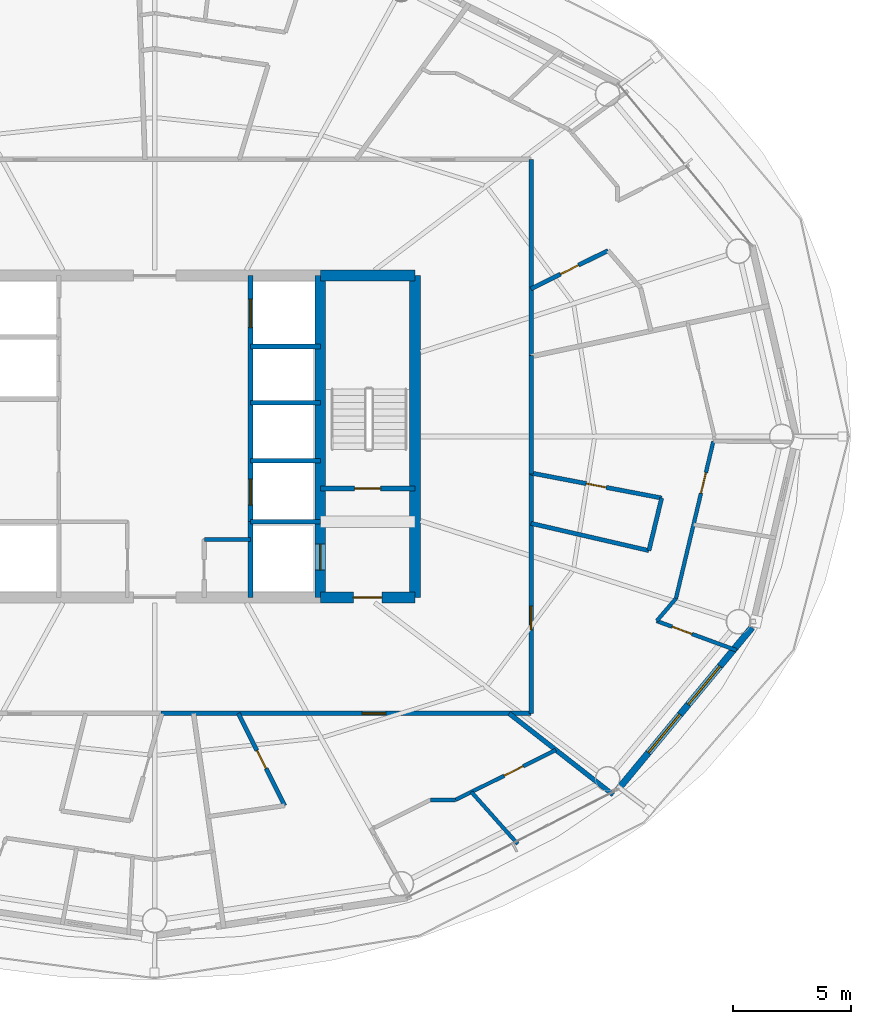
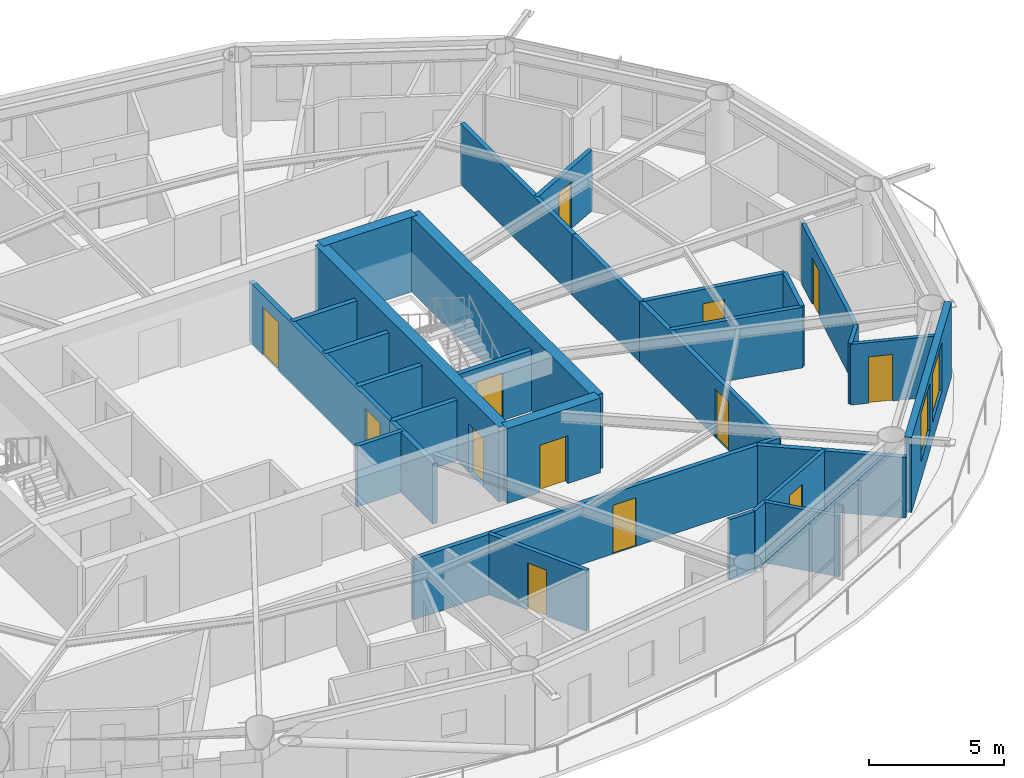
# One storey, part 22 of 29: 29 walls, 13 doors, 2 windows, 15 openings.
"""IFC4 building model written with IfcOpenShell, lengths in metres."""

from ifc_helpers import new_model, si_unit, direction, frame, frame_2d, origin, place, context, subcontext, project, spatial, rectangle, extrude, material, layer, layer_set, type_object, element, fill, save


model = new_model("IFC4")

# Units and contexts
model_context = context("Model", 3, precision=1e-05, world=origin(), true_north=direction((0.0, 1.0)))
body_context = subcontext(model_context, "Body", "Model", "MODEL_VIEW")
ifc_project = project(units=[si_unit("LENGTHUNIT", "METRE"), si_unit("AREAUNIT", "SQUARE_METRE"), si_unit("VOLUMEUNIT", "CUBIC_METRE"), si_unit("PLANEANGLEUNIT", "RADIAN"), si_unit("MASSUNIT", "GRAM", prefix="KILO")], contexts=[model_context])

# Site, building, storey
site_placement = place(None, origin())
site = spatial("IfcSite", under=ifc_project, at=site_placement, CompositionType="ELEMENT")
building_placement = place(site_placement, origin())
building = spatial("IfcBuilding", under=site, at=building_placement, Name="Sarneth Arch Tower", CompositionType="ELEMENT")
storey_placement = place(building_placement, frame((0.0, 0.0, 165.0)))
storey = spatial("IfcBuildingStorey", under=building, at=storey_placement, Name="L41", CompositionType="ELEMENT", Elevation=165.0)

# Wall, opening, door
ifc_material_1 = material(Name="Concrete C50/60", Category="concrete")
ifc_layer_1 = layer(ifc_material_1, 0.449951171875)
ifc_layer_set_1 = layer_set([ifc_layer_1], Name="Concrete C50/60")
wall_type_1 = type_object("IfcWallType", Name="WALL-CORE-450", PredefinedType="SHEAR", material=ifc_layer_set_1)
wall_1_placement = place(storey_placement, frame((55.0, 35.199951171875, 0.0), z_axis=(0.0, 0.0, 1.0), x_axis=(1.0, 0.0, 0.0)))
wall_1 = element("IfcWall", 1, at=wall_1_placement, inside=storey, type_object=wall_type_1, Name="L41 Core shear wall S-E", PredefinedType="SHEAR", context=body_context, shape_type="SweptSolid", body=[
    extrude(rectangle(XDim=4.0, YDim=0.449951171875, at=frame_2d((2.0, 0.0))), origin(), (0.0, 0.0, 1.0), 3.3798828125),
])
opening_1_placement = place(wall_1_placement, frame((1.39990234375, 0.0, 0.0)))
opening_1 = element("IfcOpeningElement", 2, at=opening_1_placement, cuts=wall_1, Name="Opening FD-02", PredefinedType="OPENING", context=body_context, shape_type="SweptSolid", body=[
    extrude(rectangle(XDim=1.199951171875, YDim=2.14990234375, at=frame_2d((0.60009765625, 1.074951171875))), frame((0.0, 0.23486328125, 0.0), z_axis=(0.0, -1.0, 0.0), x_axis=(1.0, 0.0, 0.0)), (0.0, 0.0, 1.0), 0.469970703125),
])
ifc_material_2 = material(Name="Galvanised Steel S275 fire door set", Category="steel")
door_type_1 = type_object("IfcDoorType", Name="DR-FD90-1200", OperationType="SINGLE_SWING_LEFT", PredefinedType="DOOR", material=ifc_material_2)
door_1_placement = place(opening_1_placement, origin())
door_1 = element("IfcDoor", 3, at=door_1_placement, inside=storey, type_object=door_type_1, Name="L41 Firefighting lobby 2 exit door", OperationType="SINGLE_SWING_RIGHT", OverallHeight=2.14990234375, OverallWidth=1.199951171875, PredefinedType="DOOR", context=body_context, shape_type="SweptSolid", body=[
    extrude(rectangle(XDim=1.199951171875, YDim=2.14990234375, at=frame_2d((0.60009765625, 1.074951171875))), frame((0.0, 0.02490234375, 0.0), z_axis=(0.0, -1.0, 0.0), x_axis=(1.0, 0.0, 0.0)), (0.0, 0.0, 1.0), 0.050048828125),
])
fill(opening_1, door_1)

# Walls
wall_2_placement = place(storey_placement, frame((55.0, 48.800048828125, 0.0), z_axis=(0.0, 0.0, 1.0), x_axis=(1.0, 0.0, 0.0)))
element("IfcWall", 4, at=wall_2_placement, inside=storey, type_object=wall_type_1, Name="L41 Core shear wall N-E", PredefinedType="SHEAR", context=body_context, shape_type="SweptSolid", body=[
    extrude(rectangle(XDim=4.0, YDim=0.449951171875, at=frame_2d((2.0, 0.0))), origin(), (0.0, 0.0, 1.0), 3.3798828125),
])
wall_3_placement = place(storey_placement, frame((59.0, 35.199951171875, 0.0), z_axis=(0.0, 0.0, 1.0), x_axis=(0.0, 1.0, 0.0)))
element("IfcWall", 5, at=wall_3_placement, inside=storey, type_object=wall_type_1, Name="L41 Core shear wall E", PredefinedType="SHEAR", context=body_context, shape_type="SweptSolid", body=[
    extrude(rectangle(XDim=13.60009765625, YDim=0.449951171875, at=frame_2d((6.800048828125, 0.0))), origin(), (0.0, 0.0, 1.0), 3.3798828125),
])

# Wall, opening, door
wall_4_placement = place(storey_placement, frame((55.0, 35.199951171875, 0.0), z_axis=(0.0, 0.0, 1.0), x_axis=(0.0, 1.0, 0.0)))
wall_4 = element("IfcWall", 6, at=wall_4_placement, inside=storey, type_object=wall_type_1, Name="L41 Core shear wall WEB-E", PredefinedType="SHEAR", context=body_context, shape_type="SweptSolid", body=[
    extrude(rectangle(XDim=13.60009765625, YDim=0.449951171875, at=frame_2d((6.800048828125, 0.0))), origin(), (0.0, 0.0, 1.0), 3.3798828125),
])
opening_2_placement = place(wall_4_placement, frame((1.14990234375, 0.0, 0.0)))
opening_2 = element("IfcOpeningElement", 7, at=opening_2_placement, cuts=wall_4, Name="Opening LD-1", PredefinedType="OPENING", context=body_context, shape_type="SweptSolid", body=[
    extrude(rectangle(XDim=1.10009765625, YDim=2.199951171875, at=frame_2d((0.550048828125, 1.10009765625))), frame((0.0, 0.23486328125, 0.0), z_axis=(0.0, -1.0, 0.0), x_axis=(1.0, 0.0, 0.0)), (0.0, 0.0, 1.0), 0.469970703125),
])
ifc_material_3 = material(Name="Brushed Stainless Steel 304 lift landing door", Category="steel")
door_type_2 = type_object("IfcDoorType", Name="DR-LIFT-SLIDE-1100", OperationType="SLIDING_TO_LEFT", PredefinedType="DOOR", material=ifc_material_3)
door_2_placement = place(opening_2_placement, origin())
door_2 = element("IfcDoor", 8, at=door_2_placement, inside=storey, type_object=door_type_2, Name="L41 Firefighting lift landing door FL-2", OperationType="SLIDING_TO_RIGHT", OverallHeight=2.199951171875, OverallWidth=1.10009765625, PredefinedType="DOOR", context=body_context, shape_type="SweptSolid", body=[
    extrude(rectangle(XDim=1.10009765625, YDim=2.199951171875, at=frame_2d((0.550048828125, 1.10009765625))), frame((0.0, 0.02490234375, 0.0), z_axis=(0.0, -1.0, 0.0), x_axis=(1.0, 0.0, 0.0)), (0.0, 0.0, 1.0), 0.050048828125),
])
fill(opening_2, door_2)

ifc_material_4 = material(Name="Double steel-stud corridor fire wall", Category="steel")
ifc_layer_2 = layer(ifc_material_4, 0.18994140625)
ifc_layer_set_2 = layer_set([ifc_layer_2], Name="Double steel-stud corridor fire wall")
wall_type_2 = type_object("IfcWallType", Name="WALL-CORR-190", PredefinedType="PARTITIONING", material=ifc_layer_set_2)
wall_5_placement = place(storey_placement, frame((63.89990234375, 30.300048828125, 0.0), z_axis=(0.0, 0.0, 1.0), x_axis=(-1.0, 0.0, 0.0)))
wall_5 = element("IfcWall", 9, at=wall_5_placement, inside=storey, type_object=wall_type_2, Name="L41 Interior partition W-L41-TP-017", PredefinedType="PARTITIONING", context=body_context, shape_type="SweptSolid", body=[
    extrude(rectangle(XDim=15.62548828125, YDim=0.18994140625, at=frame_2d((7.812744140625, 0.0))), origin(), (0.0, 0.0, 1.0), 2.739990234375),
])
opening_3_placement = place(wall_5_placement, frame((6.13720703125, 0.0, 0.0)))
opening_3 = element("IfcOpeningElement", 10, at=opening_3_placement, cuts=wall_5, Name="Opening FD-08", PredefinedType="OPENING", context=body_context, shape_type="SweptSolid", body=[
    extrude(rectangle(XDim=1.0, YDim=2.199951171875, at=frame_2d((0.5, 1.10009765625))), frame((0.0, 0.10498046875, 0.0), z_axis=(0.0, -1.0, 0.0), x_axis=(1.0, 0.0, 0.0)), (0.0, 0.0, 1.0), 0.2099609375),
])
ifc_material_5 = material(Name="Hardwood timber acoustic fire door", Category="wood")
door_type_3 = type_object("IfcDoorType", Name="DR-FD60-1000", OperationType="SINGLE_SWING_LEFT", PredefinedType="DOOR", material=ifc_material_5)
door_3_placement = place(opening_3_placement, origin())
door_3 = element("IfcDoor", 11, at=door_3_placement, inside=storey, type_object=door_type_3, Name="L41 Interior door DR-L41-U7-ENT", OperationType="SINGLE_SWING_LEFT", OverallHeight=2.199951171875, OverallWidth=1.0, PredefinedType="DOOR", context=body_context, shape_type="SweptSolid", body=[
    extrude(rectangle(XDim=1.0, YDim=2.199951171875, at=frame_2d((0.5, 1.10009765625))), frame((0.0, 0.02490234375, 0.0), z_axis=(0.0, -1.0, 0.0), x_axis=(1.0, 0.0, 0.0)), (0.0, 0.0, 1.0), 0.050048828125),
])
fill(opening_3, door_3)

wall_6_placement = place(storey_placement, frame((63.89990234375, 40.490478515625, 0.0), z_axis=(0.0, 0.0, 1.0), x_axis=(0.0, -1.0, 0.0)))
wall_6 = element("IfcWall", 12, at=wall_6_placement, inside=storey, type_object=wall_type_2, Name="L41 Interior partition W-L41-TP-019", PredefinedType="PARTITIONING", context=body_context, shape_type="SweptSolid", body=[
    extrude(rectangle(XDim=10.1904296875, YDim=0.18994140625, at=frame_2d((5.09521484375, 0.0))), origin(), (0.0, 0.0, 1.0), 2.739990234375),
])
opening_4_placement = place(wall_6_placement, frame((5.659423828125, 0.0, 0.0)))
opening_4 = element("IfcOpeningElement", 13, at=opening_4_placement, cuts=wall_6, Name="Opening FD-08", PredefinedType="OPENING", context=body_context, shape_type="SweptSolid", body=[
    extrude(rectangle(XDim=1.0, YDim=2.199951171875, at=frame_2d((0.5, 1.10009765625))), frame((0.0, 0.10498046875, 0.0), z_axis=(0.0, -1.0, 0.0), x_axis=(1.0, 0.0, 0.0)), (0.0, 0.0, 1.0), 0.2099609375),
])
door_4_placement = place(opening_4_placement, origin())
door_4 = element("IfcDoor", 14, at=door_4_placement, inside=storey, type_object=door_type_3, Name="L41 Interior door DR-L41-U8-ENT", OperationType="SINGLE_SWING_LEFT", OverallHeight=2.199951171875, OverallWidth=1.0, PredefinedType="DOOR", context=body_context, shape_type="SweptSolid", body=[
    extrude(rectangle(XDim=1.0, YDim=2.199951171875, at=frame_2d((0.5, 1.10009765625))), frame((0.0, 0.02490234375, 0.0), z_axis=(0.0, -1.0, 0.0), x_axis=(1.0, 0.0, 0.0)), (0.0, 0.0, 1.0), 0.050048828125),
])
fill(opening_4, door_4)

# Walls
wall_7_placement = place(storey_placement, frame((63.89990234375, 53.699951171875, 0.0), z_axis=(0.0, 0.0, 1.0), x_axis=(0.0, -1.0, 0.0)))
element("IfcWall", 15, at=wall_7_placement, inside=storey, type_object=wall_type_2, Name="L41 Interior partition W-L41-TP-002", PredefinedType="PARTITIONING", context=body_context, shape_type="SweptSolid", body=[
    extrude(rectangle(XDim=8.3203125, YDim=0.18994140625, at=frame_2d((4.16015625, 0.0))), origin(), (0.0, 0.0, 1.0), 2.739990234375),
])
wall_8_placement = place(storey_placement, frame((63.89990234375, 45.412353515625, 0.0), z_axis=(0.0, 0.0, 1.0), x_axis=(0.0, -1.0, 0.0)))
element("IfcWall", 16, at=wall_8_placement, inside=storey, type_object=wall_type_2, Name="L41 Interior partition W-L41-TP-021", PredefinedType="PARTITIONING", context=body_context, shape_type="SweptSolid", body=[
    extrude(rectangle(XDim=4.987060546875, YDim=0.18994140625, at=frame_2d((2.49365234375, 0.0))), origin(), (0.0, 0.0, 1.0), 2.739990234375),
])

# Wall, openings, windows
ifc_material_6 = material(Name="Extruded terracotta rainscreen on Concrete C40/50 backing", Category="masonry")
ifc_layer_3 = layer(ifc_material_6, 0.280029296875)
ifc_layer_set_3 = layer_set([ifc_layer_3], Name="Extruded terracotta rainscreen on Concrete C40/50 backing")
wall_type_3 = type_object("IfcWallType", Name="WALL-EXT-TERRA-280", PredefinedType="SOLIDWALL", material=ifc_layer_set_3)
wall_9_placement = place(storey_placement, frame((67.576171875, 27.09423828125, 0.0), z_axis=(0.0, 0.0, 1.0), x_axis=(0.637333477683, 0.770588111915, 0.0)))
wall_9 = element("IfcWall", 17, at=wall_9_placement, inside=storey, type_object=wall_type_3, Name="L41 Terracotta perimeter wall 15", PredefinedType="SOLIDWALL", context=body_context, shape_type="SweptSolid", body=[
    extrude(rectangle(XDim=8.874755859375, YDim=0.280029296875, at=frame_2d((4.4375, 0.0))), origin(), (0.0, 0.0, 1.0), 3.3798828125),
])
opening_5_placement = place(wall_9_placement, frame((2.006591796875, 0.0, 0.85009765625)))
opening_5 = element("IfcOpeningElement", 18, at=opening_5_placement, cuts=wall_9, Name="Opening W-03", PredefinedType="OPENING", context=body_context, shape_type="SweptSolid", body=[
    extrude(rectangle(XDim=2.10009765625, YDim=2.199951171875, at=frame_2d((1.050048828125, 1.10009765625))), frame((0.0, 0.14990234375, 0.0), z_axis=(0.0, -1.0, 0.0), x_axis=(1.0, 0.0, 0.0)), (0.0, 0.0, 1.0), 0.300048828125),
])
opening_6_placement = place(wall_9_placement, frame((4.65185546875, 0.0, 0.85009765625)))
opening_6 = element("IfcOpeningElement", 19, at=opening_6_placement, cuts=wall_9, Name="Opening W-03", PredefinedType="OPENING", context=body_context, shape_type="SweptSolid", body=[
    extrude(rectangle(XDim=2.10009765625, YDim=2.199951171875, at=frame_2d((1.050048828125, 1.10009765625))), frame((0.0, 0.14990234375, 0.0), z_axis=(0.0, -1.0, 0.0), x_axis=(1.0, 0.0, 0.0)), (0.0, 0.0, 1.0), 0.300048828125),
])
ifc_material_7 = material(Name="Thermally broken Aluminium 6063-T6 and low-e laminated IGU", Category="aluminium")
window_type = type_object("IfcWindowType", Name="WIN-TWR-2100x2200", PartitioningType="DOUBLE_PANEL_VERTICAL", PredefinedType="WINDOW", material=ifc_material_7)
window_1_placement = place(opening_5_placement, origin())
window_1 = element("IfcWindow", 20, at=window_1_placement, inside=storey, type_object=window_type, Name="L41 Exterior window 15A", OverallHeight=2.199951171875, OverallWidth=2.10009765625, PartitioningType="SINGLE_PANEL", PredefinedType="WINDOW", context=body_context, shape_type="SweptSolid", body=[
    extrude(rectangle(XDim=2.10009765625, YDim=2.199951171875, at=frame_2d((1.050048828125, 1.10009765625))), frame((0.0, 0.030029296875, 0.0), z_axis=(0.0, -1.0, 0.0), x_axis=(1.0, 0.0, 0.0)), (0.0, 0.0, 1.0), 0.06005859375),
])
fill(opening_5, window_1)
window_2_placement = place(opening_6_placement, origin())
window_2 = element("IfcWindow", 21, at=window_2_placement, inside=storey, type_object=window_type, Name="L41 Exterior window 15B", OverallHeight=2.199951171875, OverallWidth=2.10009765625, PartitioningType="SINGLE_PANEL", PredefinedType="WINDOW", context=body_context, shape_type="SweptSolid", body=[
    extrude(rectangle(XDim=2.10009765625, YDim=2.199951171875, at=frame_2d((1.050048828125, 1.10009765625))), frame((0.0, 0.030029296875, 0.0), z_axis=(0.0, -1.0, 0.0), x_axis=(1.0, 0.0, 0.0)), (0.0, 0.0, 1.0), 0.06005859375),
])
fill(opening_6, window_2)

# Wall, opening, door
ifc_material_8 = material(Name="Kitchen wet service chase wall", Category="gypsum")
ifc_layer_4 = layer(ifc_material_8, 0.159912109375)
ifc_layer_set_4 = layer_set([ifc_layer_4], Name="Kitchen wet service chase wall")
wall_type_4 = type_object("IfcWallType", Name="WALL-PLUMB-160", PredefinedType="PLUMBINGWALL", material=ifc_layer_set_4)
wall_10_placement = place(storey_placement, frame((60.71337890625, 26.64990234375, 0.0), z_axis=(0.0, 0.0, 1.0), x_axis=(0.894932492822, 0.446201561283, 0.0)))
wall_10 = element("IfcWall", 22, at=wall_10_placement, inside=storey, type_object=wall_type_4, Name="L41 Interior partition W-L41-TP-105", PredefinedType="PLUMBINGWALL", context=body_context, shape_type="SweptSolid", body=[
    extrude(rectangle(XDim=4.7294921875, YDim=0.159912109375, at=frame_2d((2.36474609375, 0.0))), origin(), (0.0, 0.0, 1.0), 2.739990234375),
])
opening_7_placement = place(wall_10_placement, frame((2.287841796875, 0.0, 0.0)))
opening_7 = element("IfcOpeningElement", 23, at=opening_7_placement, cuts=wall_10, Name="Opening ID-01", PredefinedType="OPENING", context=body_context, shape_type="SweptSolid", body=[
    extrude(rectangle(XDim=0.89990234375, YDim=2.10009765625, at=frame_2d((0.449951171875, 1.050048828125))), frame((0.0, 0.08984375, 0.0), z_axis=(0.0, -1.0, 0.0), x_axis=(1.0, 0.0, 0.0)), (0.0, 0.0, 1.0), 0.179931640625),
])
ifc_material_9 = material(Name="Engineered hardwood flush door", Category="wood")
door_type_4 = type_object("IfcDoorType", Name="DR-INT-900", OperationType="SINGLE_SWING_LEFT", PredefinedType="DOOR", material=ifc_material_9)
door_5_placement = place(opening_7_placement, origin())
door_5 = element("IfcDoor", 24, at=door_5_placement, inside=storey, type_object=door_type_4, Name="L41 Interior door DR-L41-U7-BED1", OperationType="SINGLE_SWING_LEFT", OverallHeight=2.10009765625, OverallWidth=0.89990234375, PredefinedType="DOOR", context=body_context, shape_type="SweptSolid", body=[
    extrude(rectangle(XDim=0.89990234375, YDim=2.10009765625, at=frame_2d((0.449951171875, 1.050048828125))), frame((0.0, 0.02490234375, 0.0), z_axis=(0.0, -1.0, 0.0), x_axis=(1.0, 0.0, 0.0)), (0.0, 0.0, 1.0), 0.050048828125),
])
fill(opening_7, door_5)

wall_11_placement = place(storey_placement, frame((70.019287109375, 35.15771484375, 0.0), z_axis=(0.0, 0.0, 1.0), x_axis=(0.231657621012, 0.972797382103, 0.0)))
wall_11 = element("IfcWall", 25, at=wall_11_placement, inside=storey, type_object=wall_type_4, Name="L41 Interior partition W-L41-TP-115", PredefinedType="PLUMBINGWALL", context=body_context, shape_type="SweptSolid", body=[
    extrude(rectangle(XDim=6.82177734375, YDim=0.159912109375, at=frame_2d((3.410888671875, 0.0))), origin(), (0.0, 0.0, 1.0), 2.739990234375),
])
opening_8_placement = place(wall_11_placement, frame((4.566650390625, 0.0, 0.0)))
opening_8 = element("IfcOpeningElement", 26, at=opening_8_placement, cuts=wall_11, Name="Opening ID-01", PredefinedType="OPENING", context=body_context, shape_type="SweptSolid", body=[
    extrude(rectangle(XDim=0.89990234375, YDim=2.10009765625, at=frame_2d((0.449951171875, 1.050048828125))), frame((0.0, 0.08984375, 0.0), z_axis=(0.0, -1.0, 0.0), x_axis=(1.0, 0.0, 0.0)), (0.0, 0.0, 1.0), 0.179931640625),
])
door_6_placement = place(opening_8_placement, origin())
door_6 = element("IfcDoor", 27, at=door_6_placement, inside=storey, type_object=door_type_4, Name="L41 Interior door DR-L41-U8-BED1", OperationType="SINGLE_SWING_LEFT", OverallHeight=2.10009765625, OverallWidth=0.89990234375, PredefinedType="DOOR", context=body_context, shape_type="SweptSolid", body=[
    extrude(rectangle(XDim=0.89990234375, YDim=2.10009765625, at=frame_2d((0.449951171875, 1.050048828125))), frame((0.0, 0.02490234375, 0.0), z_axis=(0.0, -1.0, 0.0), x_axis=(1.0, 0.0, 0.0)), (0.0, 0.0, 1.0), 0.050048828125),
])
fill(opening_8, door_6)

wall_12_placement = place(storey_placement, frame((69.20849609375, 34.204833984375, 0.0), z_axis=(0.0, 0.0, 1.0), x_axis=(0.938602834346, -0.344999593272, 0.0)))
wall_12 = element("IfcWall", 28, at=wall_12_placement, inside=storey, type_object=wall_type_4, Name="L41 Interior partition W-L41-TP-111", PredefinedType="PLUMBINGWALL", context=body_context, shape_type="SweptSolid", body=[
    extrude(rectangle(XDim=3.59130859375, YDim=0.159912109375, at=frame_2d((1.795654296875, 0.0))), origin(), (0.0, 0.0, 1.0), 2.739990234375),
])
opening_9_placement = place(wall_12_placement, frame((0.685546875, 0.0, 0.0)))
opening_9 = element("IfcOpeningElement", 29, at=opening_9_placement, cuts=wall_12, Name="Opening ID-01", PredefinedType="OPENING", context=body_context, shape_type="SweptSolid", body=[
    extrude(rectangle(XDim=0.89990234375, YDim=2.10009765625, at=frame_2d((0.449951171875, 1.050048828125))), frame((0.0, 0.08984375, 0.0), z_axis=(0.0, -1.0, 0.0), x_axis=(1.0, 0.0, 0.0)), (0.0, 0.0, 1.0), 0.179931640625),
])
door_7_placement = place(opening_9_placement, origin())
door_7 = element("IfcDoor", 30, at=door_7_placement, inside=storey, type_object=door_type_4, Name="L41 Interior door DR-L41-U8-KIT", OperationType="SINGLE_SWING_LEFT", OverallHeight=2.10009765625, OverallWidth=0.89990234375, PredefinedType="DOOR", context=body_context, shape_type="SweptSolid", body=[
    extrude(rectangle(XDim=0.89990234375, YDim=2.10009765625, at=frame_2d((0.449951171875, 1.050048828125))), frame((0.0, 0.02490234375, 0.0), z_axis=(0.0, -1.0, 0.0), x_axis=(1.0, 0.0, 0.0)), (0.0, 0.0, 1.0), 0.050048828125),
])
fill(opening_9, door_7)

# Walls
wall_13_placement = place(storey_placement, frame((63.335205078125, 24.78955078125, 0.0), z_axis=(0.0, 0.0, 1.0), x_axis=(-0.665255741341, 0.746615562799, 0.0)))
element("IfcWall", 31, at=wall_13_placement, inside=storey, type_object=wall_type_4, Name="L41 Interior partition W-L41-TP-107", PredefinedType="PLUMBINGWALL", context=body_context, shape_type="SweptSolid", body=[
    extrude(rectangle(XDim=2.937744140625, YDim=0.159912109375, at=frame_2d((1.46875, 0.0))), origin(), (0.0, 0.0, 1.0), 2.739990234375),
])
wall_14_placement = place(storey_placement, frame((70.01953125, 35.15771484375, 0.0), z_axis=(0.0, 0.0, 1.0), x_axis=(-0.648152333742, -0.761510703972, 0.0)))
element("IfcWall", 32, at=wall_14_placement, inside=storey, type_object=wall_type_4, Name="L41 Interior partition W-L41-TP-110", PredefinedType="PLUMBINGWALL", context=body_context, shape_type="SweptSolid", body=[
    extrude(rectangle(XDim=1.251220703125, YDim=0.159912109375, at=frame_2d((0.62548828125, 0.0))), origin(), (0.0, 0.0, 1.0), 2.739990234375),
])
wall_15_placement = place(storey_placement, frame((60.71337890625, 26.64990234375, 0.0), z_axis=(0.0, 0.0, 1.0), x_axis=(-1.0, 0.0, 0.0)))
element("IfcWall", 33, at=wall_15_placement, inside=storey, type_object=wall_type_4, Name="L41 Interior partition W-L41-TP-099", PredefinedType="PLUMBINGWALL", context=body_context, shape_type="SweptSolid", body=[
    extrude(rectangle(XDim=1.062255859375, YDim=0.159912109375, at=frame_2d((0.53125, 0.0))), origin(), (0.0, 0.0, 1.0), 2.739990234375),
])
ifc_material_10 = material(Name="Moisture-resistant plumbing chase wall", Category="gypsum")
ifc_layer_5 = layer(ifc_material_10, 0.179931640625)
ifc_layer_set_5 = layer_set([ifc_layer_5], Name="Moisture-resistant plumbing chase wall")
wall_type_5 = type_object("IfcWallType", Name="WALL-PLUMB-180", PredefinedType="PLUMBINGWALL", material=ifc_layer_set_5)
wall_16_placement = place(storey_placement, frame((50.10009765625, 37.64990234375, 0.0), z_axis=(0.0, 0.0, 1.0), x_axis=(1.0, 0.0, 0.0)))
element("IfcWall", 34, at=wall_16_placement, inside=storey, type_object=wall_type_5, Name="L41 Interior partition W-L41-AWC-N", PredefinedType="PLUMBINGWALL", context=body_context, shape_type="SweptSolid", body=[
    extrude(rectangle(XDim=1.949951171875, YDim=0.179931640625, at=frame_2d((0.97509765625, 0.0))), origin(), (0.0, 0.0, 1.0), 2.739990234375),
])

# Wall, opening, door
wall_17_placement = place(storey_placement, frame((69.4150390625, 39.400146484375, 0.0), z_axis=(0.0, 0.0, 1.0), x_axis=(-0.98210492306, 0.188334596135, 0.0)))
wall_17 = element("IfcWall", 35, at=wall_17_placement, inside=storey, type_object=wall_type_5, Name="L41 Interior partition W-L41-TP-114", PredefinedType="PLUMBINGWALL", context=body_context, shape_type="SweptSolid", body=[
    extrude(rectangle(XDim=5.61572265625, YDim=0.179931640625, at=frame_2d((2.807861328125, 0.0))), origin(), (0.0, 0.0, 1.0), 2.739990234375),
])
opening_10_placement = place(wall_17_placement, frame((2.3828125, 0.0, 0.0)))
opening_10 = element("IfcOpeningElement", 36, at=opening_10_placement, cuts=wall_17, Name="Opening ID-02", PredefinedType="OPENING", context=body_context, shape_type="SweptSolid", body=[
    extrude(rectangle(XDim=0.85009765625, YDim=2.10009765625, at=frame_2d((0.425048828125, 1.050048828125))), frame((0.0, 0.099853515625, 0.0), z_axis=(0.0, -1.0, 0.0), x_axis=(1.0, 0.0, 0.0)), (0.0, 0.0, 1.0), 0.199951171875),
])
ifc_material_11 = material(Name="Moisture-resistant bathroom timber door", Category="wood")
door_type_5 = type_object("IfcDoorType", Name="DR-INT-850", OperationType="SINGLE_SWING_RIGHT", PredefinedType="DOOR", material=ifc_material_11)
door_8_placement = place(opening_10_placement, origin())
door_8 = element("IfcDoor", 37, at=door_8_placement, inside=storey, type_object=door_type_5, Name="L41 Interior door DR-L41-U8-BATH", OperationType="SINGLE_SWING_RIGHT", OverallHeight=2.10009765625, OverallWidth=0.85009765625, PredefinedType="DOOR", context=body_context, shape_type="SweptSolid", body=[
    extrude(rectangle(XDim=0.85009765625, YDim=2.10009765625, at=frame_2d((0.425048828125, 1.050048828125))), frame((0.0, 0.02490234375, 0.0), z_axis=(0.0, -1.0, 0.0), x_axis=(1.0, 0.0, 0.0)), (0.0, 0.0, 1.0), 0.050048828125),
])
fill(opening_10, door_8)

# Wall
wall_18_placement = place(storey_placement, frame((63.89990234375, 38.3291015625, 0.0), z_axis=(0.0, 0.0, 1.0), x_axis=(0.974377500084, -0.224918846098, 0.0)))
element("IfcWall", 38, at=wall_18_placement, inside=storey, type_object=wall_type_5, Name="L41 Interior partition W-L41-TP-112", PredefinedType="PLUMBINGWALL", context=body_context, shape_type="SweptSolid", body=[
    extrude(rectangle(XDim=5.108154296875, YDim=0.179931640625, at=frame_2d((2.55419921875, 0.0))), origin(), (0.0, 0.0, 1.0), 2.739990234375),
])

# Wall, opening, door
wall_19_placement = place(storey_placement, frame((53.493896484375, 26.40966796875, 0.0), z_axis=(0.0, 0.0, 1.0), x_axis=(-0.449879384809, 0.89308932315, 0.0)))
wall_19 = element("IfcWall", 39, at=wall_19_placement, inside=storey, type_object=wall_type_5, Name="L41 Interior partition W-L41-TP-104", PredefinedType="PLUMBINGWALL", context=body_context, shape_type="SweptSolid", body=[
    extrude(rectangle(XDim=4.356201171875, YDim=0.179931640625, at=frame_2d((2.17822265625, 0.0))), origin(), (0.0, 0.0, 1.0), 2.739990234375),
])
opening_11_placement = place(wall_19_placement, frame((1.7529296875, 0.0, 0.0)))
opening_11 = element("IfcOpeningElement", 40, at=opening_11_placement, cuts=wall_19, Name="Opening ID-02", PredefinedType="OPENING", context=body_context, shape_type="SweptSolid", body=[
    extrude(rectangle(XDim=0.85009765625, YDim=2.10009765625, at=frame_2d((0.425048828125, 1.050048828125))), frame((0.0, 0.099853515625, 0.0), z_axis=(0.0, -1.0, 0.0), x_axis=(1.0, 0.0, 0.0)), (0.0, 0.0, 1.0), 0.199951171875),
])
door_9_placement = place(opening_11_placement, origin())
door_9 = element("IfcDoor", 41, at=door_9_placement, inside=storey, type_object=door_type_5, Name="L41 Interior door DR-L41-U7-BATH", OperationType="SINGLE_SWING_LEFT", OverallHeight=2.10009765625, OverallWidth=0.85009765625, PredefinedType="DOOR", context=body_context, shape_type="SweptSolid", body=[
    extrude(rectangle(XDim=0.85009765625, YDim=2.10009765625, at=frame_2d((0.425048828125, 1.050048828125))), frame((0.0, 0.02490234375, 0.0), z_axis=(0.0, -1.0, 0.0), x_axis=(1.0, 0.0, 0.0)), (0.0, 0.0, 1.0), 0.050048828125),
])
fill(opening_11, door_9)

wall_20_placement = place(storey_placement, frame((67.151611328125, 49.855712890625, 0.0), z_axis=(0.0, 0.0, 1.0), x_axis=(-0.894843352961, -0.446380301605, 0.0)))
wall_20 = element("IfcWall", 42, at=wall_20_placement, inside=storey, type_object=wall_type_5, Name="L41 Interior partition W-L41-TP-028", PredefinedType="PLUMBINGWALL", context=body_context, shape_type="SweptSolid", body=[
    extrude(rectangle(XDim=3.6337890625, YDim=0.179931640625, at=frame_2d((1.81689453125, 0.0))), origin(), (0.0, 0.0, 1.0), 2.739990234375),
])
opening_12_placement = place(wall_20_placement, frame((1.391845703125, 0.0, 0.0)))
opening_12 = element("IfcOpeningElement", 43, at=opening_12_placement, cuts=wall_20, Name="Opening ID-02", PredefinedType="OPENING", context=body_context, shape_type="SweptSolid", body=[
    extrude(rectangle(XDim=0.85009765625, YDim=2.10009765625, at=frame_2d((0.425048828125, 1.050048828125))), frame((0.0, 0.099853515625, 0.0), z_axis=(0.0, -1.0, 0.0), x_axis=(1.0, 0.0, 0.0)), (0.0, 0.0, 1.0), 0.199951171875),
])
door_10_placement = place(opening_12_placement, origin())
door_10 = element("IfcDoor", 44, at=door_10_placement, inside=storey, type_object=door_type_5, Name="L41 Interior door DR-L41-U1-BATH", OperationType="SINGLE_SWING_RIGHT", OverallHeight=2.10009765625, OverallWidth=0.85009765625, PredefinedType="DOOR", context=body_context, shape_type="SweptSolid", body=[
    extrude(rectangle(XDim=0.85009765625, YDim=2.10009765625, at=frame_2d((0.425048828125, 1.050048828125))), frame((0.0, 0.02490234375, 0.0), z_axis=(0.0, -1.0, 0.0), x_axis=(1.0, 0.0, 0.0)), (0.0, 0.0, 1.0), 0.050048828125),
])
fill(opening_12, door_10)

# Wall
wall_21_placement = place(storey_placement, frame((68.877197265625, 37.18017578125, 0.0), z_axis=(0.0, 0.0, 1.0), x_axis=(0.235462364404, 0.971883467783, 0.0)))
element("IfcWall", 45, at=wall_21_placement, inside=storey, type_object=wall_type_5, Name="L41 Interior partition W-L41-TP-113", PredefinedType="PLUMBINGWALL", context=body_context, shape_type="SweptSolid", body=[
    extrude(rectangle(XDim=2.2841796875, YDim=0.179931640625, at=frame_2d((1.14208984375, 0.0))), origin(), (0.0, 0.0, 1.0), 2.739990234375),
])

# Wall, opening, door
ifc_material_12 = material(Name="Aerated concrete blockwork C25/30", Category="masonry")
ifc_layer_6 = layer(ifc_material_12, 0.199951171875)
ifc_layer_set_6 = layer_set([ifc_layer_6], Name="Aerated concrete blockwork C25/30")
wall_type_6 = type_object("IfcWallType", Name="WALL-SHAFT-200", PredefinedType="SOLIDWALL", material=ifc_layer_set_6)
wall_22_placement = place(storey_placement, frame((55.0, 39.800048828125, 0.0), z_axis=(0.0, 0.0, 1.0), x_axis=(1.0, 0.0, 0.0)))
wall_22 = element("IfcWall", 46, at=wall_22_placement, inside=storey, type_object=wall_type_6, Name="L41 Interior partition W-L41-ST2-S", PredefinedType="SOLIDWALL", context=body_context, shape_type="SweptSolid", body=[
    extrude(rectangle(XDim=4.0, YDim=0.199951171875, at=frame_2d((2.0, 0.0))), origin(), (0.0, 0.0, 1.0), 2.739990234375),
])
opening_13_placement = place(wall_22_placement, frame((1.449951171875, 0.0, 0.0)))
opening_13 = element("IfcOpeningElement", 47, at=opening_13_placement, cuts=wall_22, Name="Opening FD-03", PredefinedType="OPENING", context=body_context, shape_type="SweptSolid", body=[
    extrude(rectangle(XDim=1.10009765625, YDim=2.14990234375, at=frame_2d((0.550048828125, 1.074951171875))), frame((0.0, 0.10986328125, 0.0), z_axis=(0.0, -1.0, 0.0), x_axis=(1.0, 0.0, 0.0)), (0.0, 0.0, 1.0), 0.219970703125),
])
ifc_material_13 = material(Name="Galvanised Steel S275 fire door set", Category="steel")
door_type_6 = type_object("IfcDoorType", Name="DR-FD90-1100", OperationType="SINGLE_SWING_LEFT", PredefinedType="DOOR", material=ifc_material_13)
door_11_placement = place(opening_13_placement, origin())
door_11 = element("IfcDoor", 48, at=door_11_placement, inside=storey, type_object=door_type_6, Name="L41 Interior door DR-L41-ST2", OperationType="SINGLE_SWING_RIGHT", OverallHeight=2.14990234375, OverallWidth=1.10009765625, PredefinedType="DOOR", context=body_context, shape_type="SweptSolid", body=[
    extrude(rectangle(XDim=1.10009765625, YDim=2.14990234375, at=frame_2d((0.550048828125, 1.074951171875))), frame((0.0, 0.02490234375, 0.0), z_axis=(0.0, -1.0, 0.0), x_axis=(1.0, 0.0, 0.0)), (0.0, 0.0, 1.0), 0.050048828125),
])
fill(opening_13, door_11)

# Walls
wall_23_placement = place(storey_placement, frame((52.050048828125, 35.199951171875, 0.0), z_axis=(0.0, 0.0, 1.0), x_axis=(0.0, 1.0, 0.0)))
element("IfcWall", 49, at=wall_23_placement, inside=storey, type_object=wall_type_6, Name="L41 Interior partition W-L41-FL2-W", PredefinedType="SOLIDWALL", context=body_context, shape_type="SweptSolid", body=[
    extrude(rectangle(XDim=3.199951171875, YDim=0.199951171875, at=frame_2d((1.60009765625, 0.0))), origin(), (0.0, 0.0, 1.0), 2.739990234375),
])
wall_24_placement = place(storey_placement, frame((52.050048828125, 38.39990234375, 0.0), z_axis=(0.0, 0.0, 1.0), x_axis=(1.0, 0.0, 0.0)))
element("IfcWall", 50, at=wall_24_placement, inside=storey, type_object=wall_type_6, Name="L41 Interior partition W-L41-FL2-N", PredefinedType="SOLIDWALL", context=body_context, shape_type="SweptSolid", body=[
    extrude(rectangle(XDim=2.949951171875, YDim=0.199951171875, at=frame_2d((1.47509765625, 0.0))), origin(), (0.0, 0.0, 1.0), 2.739990234375),
])

# Wall, openings, doors
wall_25_placement = place(storey_placement, frame((52.050048828125, 38.39990234375, 0.0), z_axis=(0.0, 0.0, 1.0), x_axis=(0.0, 1.0, 0.0)))
wall_25 = element("IfcWall", 51, at=wall_25_placement, inside=storey, type_object=wall_type_6, Name="L41 Interior partition W-L41-EASTBANK-FRONT", PredefinedType="SOLIDWALL", context=body_context, shape_type="SweptSolid", body=[
    extrude(rectangle(XDim=10.400146484375, YDim=0.199951171875, at=frame_2d((5.2001953125, 0.0))), origin(), (0.0, 0.0, 1.0), 2.739990234375),
])
opening_14_placement = place(wall_25_placement, frame((0.699951171875, 0.0, 0.0)))
opening_14 = element("IfcOpeningElement", 52, at=opening_14_placement, cuts=wall_25, Name="Opening LD-1", PredefinedType="OPENING", context=body_context, shape_type="SweptSolid", body=[
    extrude(rectangle(XDim=1.10009765625, YDim=2.199951171875, at=frame_2d((0.550048828125, 1.10009765625))), frame((0.0, 0.10986328125, 0.0), z_axis=(0.0, -1.0, 0.0), x_axis=(1.0, 0.0, 0.0)), (0.0, 0.0, 1.0), 0.219970703125),
])
opening_15_placement = place(wall_25_placement, frame((8.199951171875, 0.0, 0.0)))
opening_15 = element("IfcOpeningElement", 53, at=opening_15_placement, cuts=wall_25, Name="Opening LD-2", PredefinedType="OPENING", context=body_context, shape_type="SweptSolid", body=[
    extrude(rectangle(XDim=1.199951171875, YDim=2.199951171875, at=frame_2d((0.60009765625, 1.10009765625))), frame((0.0, 0.10986328125, 0.0), z_axis=(0.0, -1.0, 0.0), x_axis=(1.0, 0.0, 0.0)), (0.0, 0.0, 1.0), 0.219970703125),
])
door_12_placement = place(opening_14_placement, origin())
door_12 = element("IfcDoor", 54, at=door_12_placement, inside=storey, type_object=door_type_2, Name="L41 Lift landing door DR-L41-LD-PM2", OperationType="SLIDING_TO_LEFT", OverallHeight=2.199951171875, OverallWidth=1.10009765625, PredefinedType="DOOR", context=body_context, shape_type="SweptSolid", body=[
    extrude(rectangle(XDim=1.10009765625, YDim=2.199951171875, at=frame_2d((0.550048828125, 1.10009765625))), frame((0.0, 0.02490234375, 0.0), z_axis=(0.0, -1.0, 0.0), x_axis=(1.0, 0.0, 0.0)), (0.0, 0.0, 1.0), 0.050048828125),
])
fill(opening_14, door_12)
ifc_material_14 = material(Name="Brushed Stainless Steel 304 service lift door", Category="steel")
door_type_7 = type_object("IfcDoorType", Name="DR-LIFT-SLIDE-1200", OperationType="SLIDING_TO_RIGHT", PredefinedType="DOOR", material=ifc_material_14)
door_13_placement = place(opening_15_placement, origin())
door_13 = element("IfcDoor", 55, at=door_13_placement, inside=storey, type_object=door_type_7, Name="L41 Lift landing door DR-L41-LD-SL1", OperationType="SLIDING_TO_RIGHT", OverallHeight=2.199951171875, OverallWidth=1.199951171875, PredefinedType="DOOR", context=body_context, shape_type="SweptSolid", body=[
    extrude(rectangle(XDim=1.199951171875, YDim=2.199951171875, at=frame_2d((0.60009765625, 1.10009765625))), frame((0.0, 0.02490234375, 0.0), z_axis=(0.0, -1.0, 0.0), x_axis=(1.0, 0.0, 0.0)), (0.0, 0.0, 1.0), 0.050048828125),
])
fill(opening_15, door_13)

# Walls
for number, where, z_axis, x_axis, name in (
    (56, (52.050048828125, 40.97998046875, 0.0), (0.0, 0.0, 1.0), (1.0, 0.0, 0.0), "L41 Interior partition W-L41-EB-DIV-4098"),
    (57, (52.050048828125, 43.419921875, 0.0), (0.0, 0.0, 1.0), (1.0, 0.0, 0.0), "L41 Interior partition W-L41-EB-DIV-4342"),
    (58, (52.050048828125, 45.800048828125, 0.0), (0.0, 0.0, 1.0), (1.0, 0.0, 0.0), "L41 Interior partition W-L41-EB-DIV-4580"),
):
    element("IfcWall", number, at=place(storey_placement, frame(where, z_axis=z_axis, x_axis=x_axis)), inside=storey, type_object=wall_type_6, Name=name, PredefinedType="SOLIDWALL", context=body_context, shape_type="SweptSolid", body=[
        extrude(rectangle(XDim=2.949951171875, YDim=0.199951171875, at=frame_2d((1.47509765625, 0.0))), origin(), (0.0, 0.0, 1.0), 2.739990234375),
    ])
ifc_material_15 = material(Name="Double steel-stud acoustic drywall", Category="steel")
ifc_layer_7 = layer(ifc_material_15, 0.199951171875)
ifc_layer_set_7 = layer_set([ifc_layer_7], Name="Double steel-stud acoustic drywall")
wall_type_7 = type_object("IfcWallType", Name="WALL-UNIT-200", PredefinedType="PARTITIONING", material=ifc_layer_set_7)
wall_26_placement = place(storey_placement, frame((67.370361328125, 26.8662109375, 0.0), z_axis=(0.0, 0.0, 1.0), x_axis=(-0.788004464355, 0.615669525117, 0.0)))
element("IfcWall", 59, at=wall_26_placement, inside=storey, type_object=wall_type_7, Name="L41 Interior partition W-L41-TP-108", PredefinedType="PARTITIONING", context=body_context, shape_type="SweptSolid", body=[
    extrude(rectangle(XDim=5.577392578125, YDim=0.199951171875, at=frame_2d((2.78857421875, 0.0))), origin(), (0.0, 0.0, 1.0), 2.739990234375),
])

save(model, "model.ifc")
